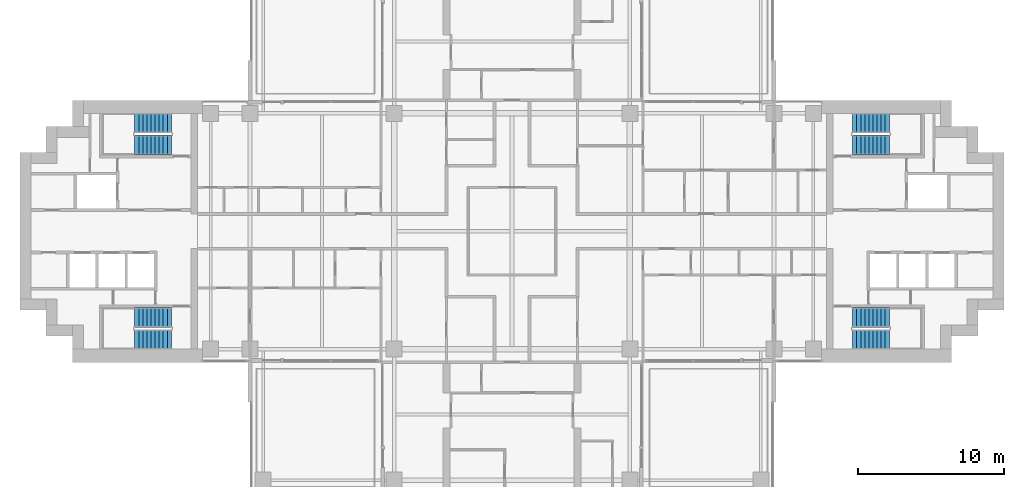
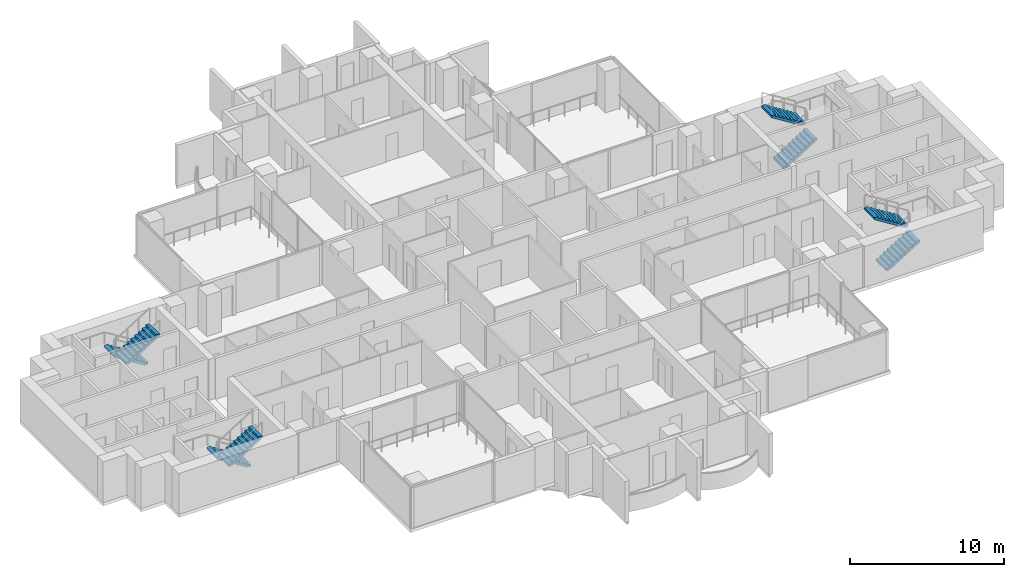
# One storey, part 15 of 18: 8 stair flights, 4 elements without a shape of their own.
"""IFC4 building model written with IfcOpenShell, lengths in metres."""

from ifc_helpers import new_model, si_unit, direction, frame, origin, place, context, subcontext, project, spatial, polyline, outline, extrude, material, type_object, element, aggregate, save


model = new_model("IFC4")

# Units and contexts
model_context = context("Model", 3, precision=1e-05, world=origin(), true_north=direction((0.0, 1.0)))
body_context = subcontext(model_context, "Body", "Model", "MODEL_VIEW")
ifc_project = project(units=[si_unit("LENGTHUNIT", "METRE"), si_unit("AREAUNIT", "SQUARE_METRE"), si_unit("VOLUMEUNIT", "CUBIC_METRE"), si_unit("PLANEANGLEUNIT", "RADIAN"), si_unit("MASSUNIT", "GRAM", prefix="KILO")], contexts=[model_context])

# Site, building, storey
site_placement = place(None, origin())
site = spatial("IfcSite", under=ifc_project, at=site_placement, CompositionType="ELEMENT")
building_placement = place(site_placement, origin())
building = spatial("IfcBuilding", under=site, at=building_placement, Name="Perihelion Cross Residences", CompositionType="ELEMENT")
storey_placement = place(building_placement, frame((0.0, 0.0, 123.39990234375)))
storey = spatial("IfcBuildingStorey", under=building, at=storey_placement, Name="L29", CompositionType="ELEMENT", Elevation=123.39990234375)

# Stair, stair flights
ifc_material_1 = material(Name="Concrete C40/50", Category="concrete")
stair_type = type_object("IfcStairType", Name="Exit stair, half-turn", PredefinedType="HALF_TURN_STAIR", material=ifc_material_1)
stair_1_placement = place(storey_placement, origin())
stair_1 = element("IfcStair", 1, at=stair_1_placement, inside=storey, type_object=stair_type, Name="L29 East core exit stair 1", PredefinedType="HALF_TURN_STAIR")
ifc_material_2 = material(Name="Concrete C40/50", Category="concrete")
stair_flight_type = type_object("IfcStairFlightType", Name="Exit stair flight", PredefinedType="STRAIGHT", material=ifc_material_2)
stair_flight_1_placement = place(storey_placement, frame((23.39990234375, 5.925048828125, 0.0), z_axis=(0.0, 0.0, 1.0), x_axis=(1.0, 0.0, 0.0)))
stair_flight_1 = element("IfcStairFlight", 2, at=stair_flight_1_placement, type_object=stair_flight_type, Name="ST-E1 flight 1", NumberOfRisers=10, NumberOfTreads=9, PredefinedType="STRAIGHT", RiserHeight=0.175, TreadLength=0.28, context=body_context, shape_type="SweptSolid", body=[
    extrude(outline(polyline([(0.0, 0.0), (0.0, 0.175048828125), (0.280029296875, 0.175048828125), (0.280029296875, 0.35009765625), (0.56005859375, 0.35009765625), (0.56005859375, 0.52490234375), (0.840087890625, 0.52490234375), (0.840087890625, 0.699951171875), (1.1201171875, 0.699951171875), (1.1201171875, 0.875), (1.39990234375, 0.875), (1.39990234375, 1.050048828125), (1.679931640625, 1.050048828125), (1.679931640625, 1.22509765625), (1.9599609375, 1.22509765625), (1.9599609375, 1.39990234375), (2.239990234375, 1.39990234375), (2.239990234375, 1.574951171875), (2.52001953125, 1.574951171875), (2.52001953125, 1.75), (2.52001953125, 1.398193359375), (0.28271484375, 0.0), (0.0, 0.0)])), frame((0.0, 0.675048828125, 0.0), z_axis=(0.0, -1.0, 0.0), x_axis=(1.0, 0.0, 0.0)), (0.0, 0.0, 1.0), 1.35009765625),
])
stair_flight_2_placement = place(storey_placement, frame((25.919921875, 7.425048828125, 1.75), z_axis=(0.0, 0.0, 1.0), x_axis=(-1.0, 0.0, 0.0)))
stair_flight_2 = element("IfcStairFlight", 3, at=stair_flight_2_placement, type_object=stair_flight_type, Name="ST-E1 flight 2", NumberOfRisers=10, NumberOfTreads=9, PredefinedType="STRAIGHT", RiserHeight=0.175, TreadLength=0.28, context=body_context, shape_type="SweptSolid", body=[
    extrude(outline(polyline([(0.0, 0.0), (0.0, 0.175048828125), (0.280029296875, 0.175048828125), (0.280029296875, 0.35009765625), (0.56005859375, 0.35009765625), (0.56005859375, 0.52490234375), (0.840087890625, 0.52490234375), (0.840087890625, 0.699951171875), (1.1201171875, 0.699951171875), (1.1201171875, 0.875), (1.39990234375, 0.875), (1.39990234375, 1.050048828125), (1.679931640625, 1.050048828125), (1.679931640625, 1.22509765625), (1.9599609375, 1.22509765625), (1.9599609375, 1.39990234375), (2.239990234375, 1.39990234375), (2.239990234375, 1.574951171875), (2.52001953125, 1.574951171875), (2.52001953125, 1.75), (2.52001953125, 1.398193359375), (0.28271484375, 0.0), (0.0, 0.0)])), frame((0.0, 0.675048828125, 0.0), z_axis=(0.0, -1.0, 0.0), x_axis=(1.0, 0.0, 0.0)), (0.0, 0.0, 1.0), 1.35009765625),
])
aggregate(stair_1, [stair_flight_1, stair_flight_2])

stair_2_placement = place(storey_placement, origin())
stair_2 = element("IfcStair", 4, at=stair_2_placement, inside=storey, type_object=stair_type, Name="L29 East core exit stair 2", PredefinedType="HALF_TURN_STAIR")
stair_flight_3_placement = place(storey_placement, frame((23.39990234375, -7.425048828125, 0.0), z_axis=(0.0, 0.0, 1.0), x_axis=(1.0, 0.0, 0.0)))
stair_flight_3 = element("IfcStairFlight", 5, at=stair_flight_3_placement, type_object=stair_flight_type, Name="ST-E2 flight 1", NumberOfRisers=10, NumberOfTreads=9, PredefinedType="STRAIGHT", RiserHeight=0.175, TreadLength=0.28, context=body_context, shape_type="SweptSolid", body=[
    extrude(outline(polyline([(0.0, 0.0), (0.0, 0.175048828125), (0.280029296875, 0.175048828125), (0.280029296875, 0.35009765625), (0.56005859375, 0.35009765625), (0.56005859375, 0.52490234375), (0.840087890625, 0.52490234375), (0.840087890625, 0.699951171875), (1.1201171875, 0.699951171875), (1.1201171875, 0.875), (1.39990234375, 0.875), (1.39990234375, 1.050048828125), (1.679931640625, 1.050048828125), (1.679931640625, 1.22509765625), (1.9599609375, 1.22509765625), (1.9599609375, 1.39990234375), (2.239990234375, 1.39990234375), (2.239990234375, 1.574951171875), (2.52001953125, 1.574951171875), (2.52001953125, 1.75), (2.52001953125, 1.398193359375), (0.28271484375, 0.0), (0.0, 0.0)])), frame((0.0, 0.675048828125, 0.0), z_axis=(0.0, -1.0, 0.0), x_axis=(1.0, 0.0, 0.0)), (0.0, 0.0, 1.0), 1.35009765625),
])
stair_flight_4_placement = place(storey_placement, frame((25.919921875, -5.925048828125, 1.75), z_axis=(0.0, 0.0, 1.0), x_axis=(-1.0, 0.0, 0.0)))
stair_flight_4 = element("IfcStairFlight", 6, at=stair_flight_4_placement, type_object=stair_flight_type, Name="ST-E2 flight 2", NumberOfRisers=10, NumberOfTreads=9, PredefinedType="STRAIGHT", RiserHeight=0.175, TreadLength=0.28, context=body_context, shape_type="SweptSolid", body=[
    extrude(outline(polyline([(0.0, 0.0), (0.0, 0.175048828125), (0.280029296875, 0.175048828125), (0.280029296875, 0.35009765625), (0.56005859375, 0.35009765625), (0.56005859375, 0.52490234375), (0.840087890625, 0.52490234375), (0.840087890625, 0.699951171875), (1.1201171875, 0.699951171875), (1.1201171875, 0.875), (1.39990234375, 0.875), (1.39990234375, 1.050048828125), (1.679931640625, 1.050048828125), (1.679931640625, 1.22509765625), (1.9599609375, 1.22509765625), (1.9599609375, 1.39990234375), (2.239990234375, 1.39990234375), (2.239990234375, 1.574951171875), (2.52001953125, 1.574951171875), (2.52001953125, 1.75), (2.52001953125, 1.398193359375), (0.28271484375, 0.0), (0.0, 0.0)])), frame((0.0, 0.675048828125, 0.0), z_axis=(0.0, -1.0, 0.0), x_axis=(1.0, 0.0, 0.0)), (0.0, 0.0, 1.0), 1.35009765625),
])
aggregate(stair_2, [stair_flight_3, stair_flight_4])

stair_3_placement = place(storey_placement, origin())
stair_3 = element("IfcStair", 7, at=stair_3_placement, inside=storey, type_object=stair_type, Name="L29 West core exit stair 1", PredefinedType="HALF_TURN_STAIR")
stair_flight_5_placement = place(storey_placement, frame((-23.39990234375, 7.425048828125, 0.0), z_axis=(0.0, 0.0, 1.0), x_axis=(-1.0, 0.0, 0.0)))
stair_flight_5 = element("IfcStairFlight", 8, at=stair_flight_5_placement, type_object=stair_flight_type, Name="ST-W1 flight 1", NumberOfRisers=10, NumberOfTreads=9, PredefinedType="STRAIGHT", RiserHeight=0.175, TreadLength=0.28, context=body_context, shape_type="SweptSolid", body=[
    extrude(outline(polyline([(0.0, 0.0), (0.0, 0.175048828125), (0.280029296875, 0.175048828125), (0.280029296875, 0.35009765625), (0.56005859375, 0.35009765625), (0.56005859375, 0.52490234375), (0.840087890625, 0.52490234375), (0.840087890625, 0.699951171875), (1.1201171875, 0.699951171875), (1.1201171875, 0.875), (1.39990234375, 0.875), (1.39990234375, 1.050048828125), (1.679931640625, 1.050048828125), (1.679931640625, 1.22509765625), (1.9599609375, 1.22509765625), (1.9599609375, 1.39990234375), (2.239990234375, 1.39990234375), (2.239990234375, 1.574951171875), (2.52001953125, 1.574951171875), (2.52001953125, 1.75), (2.52001953125, 1.398193359375), (0.28271484375, 0.0), (0.0, 0.0)])), frame((0.0, 0.675048828125, 0.0), z_axis=(0.0, -1.0, 0.0), x_axis=(1.0, 0.0, 0.0)), (0.0, 0.0, 1.0), 1.35009765625),
])
stair_flight_6_placement = place(storey_placement, frame((-25.919921875, 5.925048828125, 1.75), z_axis=(0.0, 0.0, 1.0), x_axis=(1.0, 0.0, 0.0)))
stair_flight_6 = element("IfcStairFlight", 9, at=stair_flight_6_placement, type_object=stair_flight_type, Name="ST-W1 flight 2", NumberOfRisers=10, NumberOfTreads=9, PredefinedType="STRAIGHT", RiserHeight=0.175, TreadLength=0.28, context=body_context, shape_type="SweptSolid", body=[
    extrude(outline(polyline([(0.0, 0.0), (0.0, 0.175048828125), (0.280029296875, 0.175048828125), (0.280029296875, 0.35009765625), (0.56005859375, 0.35009765625), (0.56005859375, 0.52490234375), (0.840087890625, 0.52490234375), (0.840087890625, 0.699951171875), (1.1201171875, 0.699951171875), (1.1201171875, 0.875), (1.39990234375, 0.875), (1.39990234375, 1.050048828125), (1.679931640625, 1.050048828125), (1.679931640625, 1.22509765625), (1.9599609375, 1.22509765625), (1.9599609375, 1.39990234375), (2.239990234375, 1.39990234375), (2.239990234375, 1.574951171875), (2.52001953125, 1.574951171875), (2.52001953125, 1.75), (2.52001953125, 1.398193359375), (0.28271484375, 0.0), (0.0, 0.0)])), frame((0.0, 0.675048828125, 0.0), z_axis=(0.0, -1.0, 0.0), x_axis=(1.0, 0.0, 0.0)), (0.0, 0.0, 1.0), 1.35009765625),
])
aggregate(stair_3, [stair_flight_5, stair_flight_6])

stair_4_placement = place(storey_placement, origin())
stair_4 = element("IfcStair", 10, at=stair_4_placement, inside=storey, type_object=stair_type, Name="L29 West core exit stair 2", PredefinedType="HALF_TURN_STAIR")
stair_flight_7_placement = place(storey_placement, frame((-23.39990234375, -5.925048828125, 0.0), z_axis=(0.0, 0.0, 1.0), x_axis=(-1.0, 0.0, 0.0)))
stair_flight_7 = element("IfcStairFlight", 11, at=stair_flight_7_placement, type_object=stair_flight_type, Name="ST-W2 flight 1", NumberOfRisers=10, NumberOfTreads=9, PredefinedType="STRAIGHT", RiserHeight=0.175, TreadLength=0.28, context=body_context, shape_type="SweptSolid", body=[
    extrude(outline(polyline([(0.0, 0.0), (0.0, 0.175048828125), (0.280029296875, 0.175048828125), (0.280029296875, 0.35009765625), (0.56005859375, 0.35009765625), (0.56005859375, 0.52490234375), (0.840087890625, 0.52490234375), (0.840087890625, 0.699951171875), (1.1201171875, 0.699951171875), (1.1201171875, 0.875), (1.39990234375, 0.875), (1.39990234375, 1.050048828125), (1.679931640625, 1.050048828125), (1.679931640625, 1.22509765625), (1.9599609375, 1.22509765625), (1.9599609375, 1.39990234375), (2.239990234375, 1.39990234375), (2.239990234375, 1.574951171875), (2.52001953125, 1.574951171875), (2.52001953125, 1.75), (2.52001953125, 1.398193359375), (0.28271484375, 0.0), (0.0, 0.0)])), frame((0.0, 0.675048828125, 0.0), z_axis=(0.0, -1.0, 0.0), x_axis=(1.0, 0.0, 0.0)), (0.0, 0.0, 1.0), 1.35009765625),
])
stair_flight_8_placement = place(storey_placement, frame((-25.919921875, -7.425048828125, 1.75), z_axis=(0.0, 0.0, 1.0), x_axis=(1.0, 0.0, 0.0)))
stair_flight_8 = element("IfcStairFlight", 12, at=stair_flight_8_placement, type_object=stair_flight_type, Name="ST-W2 flight 2", NumberOfRisers=10, NumberOfTreads=9, PredefinedType="STRAIGHT", RiserHeight=0.175, TreadLength=0.28, context=body_context, shape_type="SweptSolid", body=[
    extrude(outline(polyline([(0.0, 0.0), (0.0, 0.175048828125), (0.280029296875, 0.175048828125), (0.280029296875, 0.35009765625), (0.56005859375, 0.35009765625), (0.56005859375, 0.52490234375), (0.840087890625, 0.52490234375), (0.840087890625, 0.699951171875), (1.1201171875, 0.699951171875), (1.1201171875, 0.875), (1.39990234375, 0.875), (1.39990234375, 1.050048828125), (1.679931640625, 1.050048828125), (1.679931640625, 1.22509765625), (1.9599609375, 1.22509765625), (1.9599609375, 1.39990234375), (2.239990234375, 1.39990234375), (2.239990234375, 1.574951171875), (2.52001953125, 1.574951171875), (2.52001953125, 1.75), (2.52001953125, 1.398193359375), (0.28271484375, 0.0), (0.0, 0.0)])), frame((0.0, 0.675048828125, 0.0), z_axis=(0.0, -1.0, 0.0), x_axis=(1.0, 0.0, 0.0)), (0.0, 0.0, 1.0), 1.35009765625),
])
aggregate(stair_4, [stair_flight_7, stair_flight_8])

save(model, "model.ifc")
